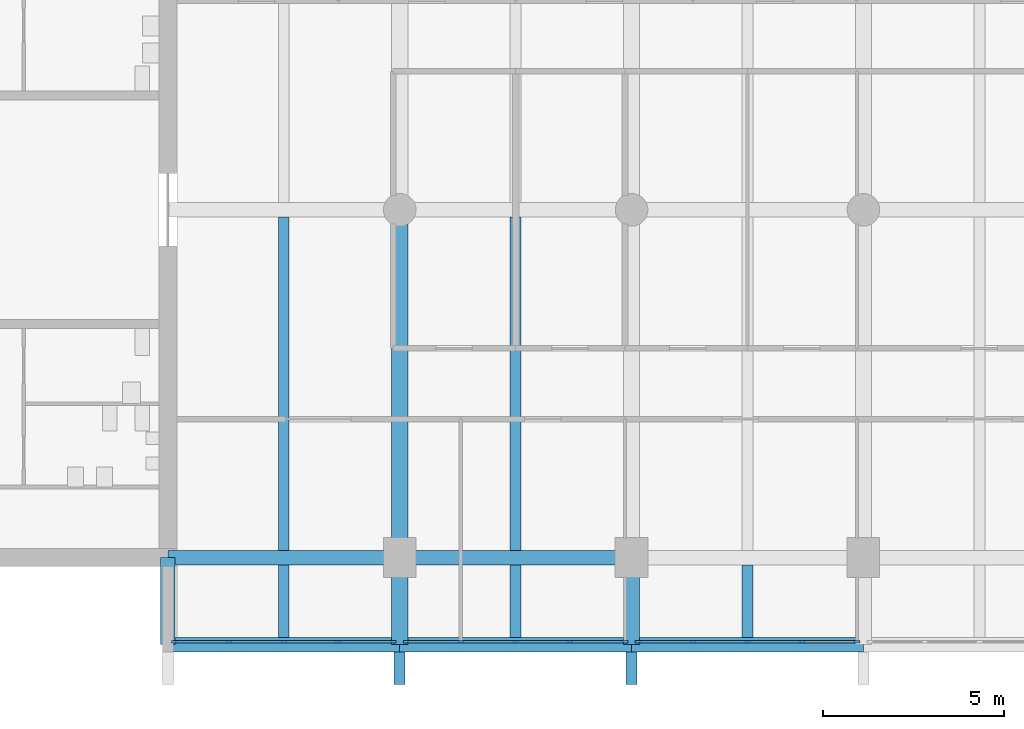
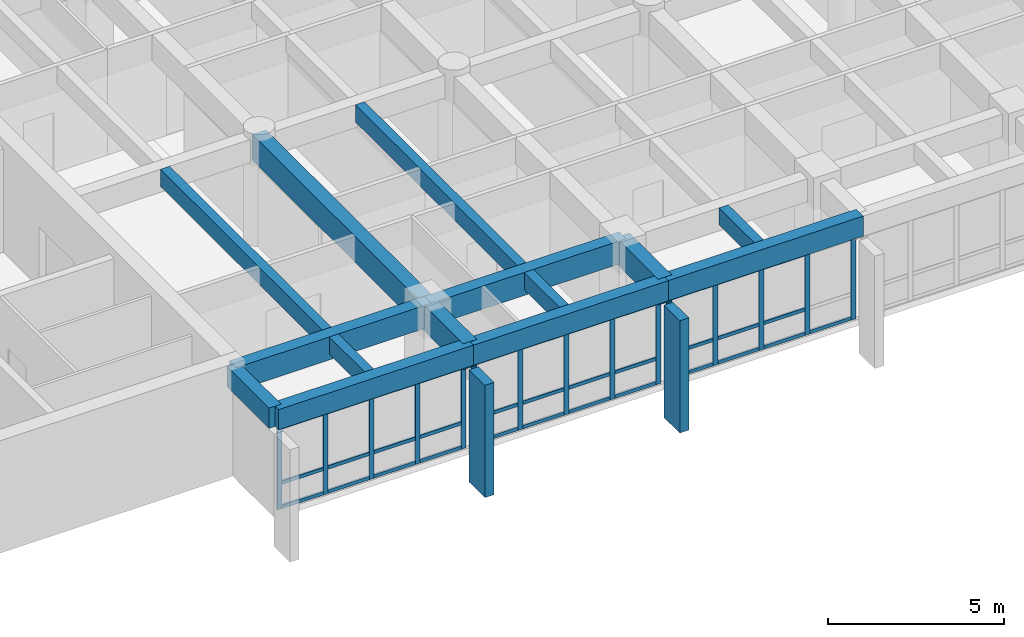
# One storey, part 2 of 15: 51 members, 14 beams, 3 elements without a shape of their own.
"""IFC4 building model written with IfcOpenShell, lengths in metres."""

from ifc_helpers import new_model, si_unit, direction, frame, origin, origin_2d, place, context, subcontext, project, spatial, rectangle, extrude, material, layer, layer_set, material_profile, profile_set, type_object, element, aggregate, save


model = new_model("IFC4")

# Units and contexts
model_context = context("Model", 3, precision=1e-05, world=origin(), true_north=direction((0.0, 1.0)))
body_context = subcontext(model_context, "Body", "Model", "MODEL_VIEW")
ifc_project = project(units=[si_unit("LENGTHUNIT", "METRE"), si_unit("AREAUNIT", "SQUARE_METRE"), si_unit("VOLUMEUNIT", "CUBIC_METRE"), si_unit("PLANEANGLEUNIT", "RADIAN"), si_unit("MASSUNIT", "GRAM", prefix="KILO")], contexts=[model_context])

# Site, building, storey
site_placement = place(None, origin())
site = spatial("IfcSite", under=ifc_project, at=site_placement, CompositionType="ELEMENT")
building_placement = place(site_placement, origin())
building = spatial("IfcBuilding", under=site, at=building_placement, Name="Fogon Plaza Fire Station and Headquarters Tower", CompositionType="ELEMENT")
storey_placement = place(building_placement, frame((0.0, 0.0, 48.300048828125)))
storey = spatial("IfcBuildingStorey", under=building, at=storey_placement, Name="L12", CompositionType="ELEMENT", Elevation=48.300048828125)

# Beams
ifc_material_1 = material(Name="Concrete C40", Category="concrete")
ifc_material_profile_1 = material_profile(ifc_material_1, rectangle(XDim=0.39990234375, YDim=0.699951171875, at=origin_2d()), Name="RC 400x700")
ifc_profile_set_1 = profile_set([ifc_material_profile_1], Name="Concrete C40")
beam_type_1 = type_object("IfcBeamType", Name="BEAM RC 400x700", PredefinedType="BEAM", material=ifc_profile_set_1)
for number, where, z_axis, x_axis, name in (
    (1, (25.60009765625, 31.199951171875, 3.329833984375), (1.0, 0.0, 0.0), (0.0, 1.0, 0.0), "beam-L12-039"),
    (2, (32.0, 31.199951171875, 3.329833984375), (1.0, 0.0, 0.0), (0.0, 1.0, 0.0), "beam-L12-040"),
):
    element("IfcBeam", number, at=place(storey_placement, frame(where, z_axis=z_axis, x_axis=x_axis)), inside=storey, type_object=beam_type_1, Name=name, PredefinedType="BEAM", context=body_context, shape_type="SweptSolid", body=[
        extrude(rectangle(XDim=0.39990234375, YDim=0.699951171875, at=origin_2d()), origin(), (0.0, 0.0, 1.0), 6.39990234375),
    ])
beam_1_placement = place(storey_placement, frame((38.39990234375, 31.199951171875, 3.329833984375), z_axis=(1.0, 0.0, 0.0), x_axis=(0.0, 1.0, 0.0)))
element("IfcBeam", 3, at=beam_1_placement, inside=storey, type_object=beam_type_1, Name="beam-L12-041", PredefinedType="BEAM", context=body_context, shape_type="SweptSolid", body=[
    extrude(rectangle(XDim=0.39990234375, YDim=0.699951171875, at=origin_2d()), origin(), (0.0, 0.0, 1.0), 6.400146484375),
])
ifc_material_2 = material(Name="Concrete C40", Category="concrete")
ifc_material_profile_2 = material_profile(ifc_material_2, rectangle(XDim=0.39990234375, YDim=0.699951171875, at=origin_2d()), Name="RC 400x700")
ifc_profile_set_2 = profile_set([ifc_material_profile_2], Name="Concrete C40")
beam_type_2 = type_object("IfcBeamType", Name="BEAM RC 400x700 SPAN 0.0 TO 3.0 M", PredefinedType="BEAM", material=ifc_profile_set_2)
beam_2_placement = place(storey_placement, frame((25.60009765625, 31.199951171875, 3.329833984375), z_axis=(0.0, 1.0, 0.0), x_axis=(-1.0, 0.0, 0.0)))
element("IfcBeam", 4, at=beam_2_placement, inside=storey, type_object=beam_type_2, Name="beam-L12-051", PredefinedType="BEAM", context=body_context, shape_type="SweptSolid", body=[
    extrude(rectangle(XDim=0.39990234375, YDim=0.699951171875, at=origin_2d()), origin(), (0.0, 0.0, 1.0), 2.400146484375),
])
ifc_material_3 = material(Name="Concrete C40", Category="concrete")
ifc_material_profile_3 = material_profile(ifc_material_3, rectangle(XDim=0.39990234375, YDim=0.800048828125, at=origin_2d()), Name="RC 400x800")
ifc_profile_set_3 = profile_set([ifc_material_profile_3], Name="Concrete C40")
beam_type_3 = type_object("IfcBeamType", Name="BEAM RC 400x800", PredefinedType="BEAM", material=ifc_profile_set_3)
for number, where, z_axis, x_axis, name in (
    (5, (25.60009765625, 33.60009765625, 3.280029296875), (1.0, 0.0, 0.0), (0.0, 1.0, 0.0), "beam-L12-021"),
    (6, (32.0, 33.60009765625, 3.280029296875), (1.0, 0.0, 0.0), (0.0, 1.0, 0.0), "beam-L12-022"),
):
    element("IfcBeam", number, at=place(storey_placement, frame(where, z_axis=z_axis, x_axis=x_axis)), inside=storey, type_object=beam_type_3, Name=name, PredefinedType="BEAM", context=body_context, shape_type="SweptSolid", body=[
        extrude(rectangle(XDim=0.39990234375, YDim=0.800048828125, at=origin_2d()), origin(), (0.0, 0.0, 1.0), 6.39990234375),
    ])
ifc_material_4 = material(Name="Concrete C40", Category="concrete")
ifc_material_profile_4 = material_profile(ifc_material_4, rectangle(XDim=0.449951171875, YDim=0.89990234375, at=origin_2d()), Name="RC 450x900")
ifc_profile_set_4 = profile_set([ifc_material_profile_4], Name="Concrete C40")
beam_type_4 = type_object("IfcBeamType", Name="BEAM RC 450x900", PredefinedType="BEAM", material=ifc_profile_set_4)
beam_3_placement = place(storey_placement, frame((32.0, 33.60009765625, 3.22998046875), z_axis=(0.0, 1.0, 0.0), x_axis=(-1.0, 0.0, 0.0)))
element("IfcBeam", 7, at=beam_3_placement, inside=storey, type_object=beam_type_4, Name="beam-L12-002", PredefinedType="BEAM", context=body_context, shape_type="SweptSolid", body=[
    extrude(rectangle(XDim=0.449951171875, YDim=0.89990234375, at=origin_2d()), origin(), (0.0, 0.0, 1.0), 9.599853515625),
])
ifc_material_5 = material(Name="Concrete C40", Category="concrete")
ifc_material_profile_5 = material_profile(ifc_material_5, rectangle(XDim=0.449951171875, YDim=0.89990234375, at=origin_2d()), Name="RC 450x900")
ifc_profile_set_5 = profile_set([ifc_material_profile_5], Name="Concrete C40")
beam_type_5 = type_object("IfcBeamType", Name="BEAM RC 450x900 SPAN 0.0 TO 3.0 M", PredefinedType="BEAM", material=ifc_profile_set_5)
for number, where, z_axis, x_axis, name in (
    (8, (32.0, 31.199951171875, 3.22998046875), (0.0, 1.0, 0.0), (-1.0, 0.0, 0.0), "beam-L12-001"),
    (9, (38.39990234375, 31.199951171875, 3.22998046875), (0.0, 1.0, 0.0), (-1.0, 0.0, 0.0), "beam-L12-005"),
):
    element("IfcBeam", number, at=place(storey_placement, frame(where, z_axis=z_axis, x_axis=x_axis)), inside=storey, type_object=beam_type_5, Name=name, PredefinedType="BEAM", context=body_context, shape_type="SweptSolid", body=[
        extrude(rectangle(XDim=0.449951171875, YDim=0.89990234375, at=origin_2d()), origin(), (0.0, 0.0, 1.0), 2.400146484375),
    ])

# Curtain wall, members
ifc_material_6 = material(Name="Aluminium and glass", Category="aluminium")
ifc_layer = layer(ifc_material_6, 0.14990234375)
ifc_layer_set = layer_set([ifc_layer], Name="Aluminium and glass")
curtain_wall_type = type_object("IfcCurtainWallType", Name="Unitised Curtain Wall Run 6100x2880", PredefinedType="NOTDEFINED", material=ifc_layer_set)
curtain_wall_1_placement = place(storey_placement, origin())
curtain_wall_1 = element("IfcCurtainWall", 10, at=curtain_wall_1_placement, inside=storey, type_object=curtain_wall_type, Name="CW-6100x2880 S1 L12", PredefinedType="NOTDEFINED")
ifc_material_7 = material(Name="Aluminium", Category="aluminium")
ifc_material_profile_6 = material_profile(ifc_material_7, rectangle(XDim=0.06005859375, YDim=0.159912109375, at=origin_2d()), Name="Curtain Wall Mullion 60x160")
ifc_profile_set_6 = profile_set([ifc_material_profile_6], Name="Aluminium")
member_type_1 = type_object("IfcMemberType", Name="Curtain Wall Mullion 60x160", PredefinedType="MULLION", material=ifc_profile_set_6)
member_1_placement = place(storey_placement, frame((25.780029296875, 31.280029296875, 0.0), z_axis=(0.0, 0.0, 1.0), x_axis=(0.0, 1.0, 0.0)))
member_1 = element("IfcMember", 11, at=member_1_placement, type_object=member_type_1, Name="CW-6100x2880 mullion 1", PredefinedType="MULLION", context=body_context, shape_type="SweptSolid", body=[
    extrude(rectangle(XDim=0.06005859375, YDim=0.159912109375, at=origin_2d()), origin(), (0.0, 0.0, 1.0), 2.8798828125),
])
member_2_placement = place(storey_placement, frame((27.2900390625, 31.280029296875, 0.0), z_axis=(0.0, 0.0, 1.0), x_axis=(0.0, 1.0, 0.0)))
member_2 = element("IfcMember", 12, at=member_2_placement, type_object=member_type_1, Name="CW-6100x2880 mullion 2", PredefinedType="MULLION", context=body_context, shape_type="SweptSolid", body=[
    extrude(rectangle(XDim=0.06005859375, YDim=0.159912109375, at=origin_2d()), origin(), (0.0, 0.0, 1.0), 2.8798828125),
])
member_3_placement = place(storey_placement, frame((28.800048828125, 31.280029296875, 0.0), z_axis=(0.0, 0.0, 1.0), x_axis=(0.0, 1.0, 0.0)))
member_3 = element("IfcMember", 13, at=member_3_placement, type_object=member_type_1, Name="CW-6100x2880 mullion 3", PredefinedType="MULLION", context=body_context, shape_type="SweptSolid", body=[
    extrude(rectangle(XDim=0.06005859375, YDim=0.159912109375, at=origin_2d()), origin(), (0.0, 0.0, 1.0), 2.8798828125),
])
member_4_placement = place(storey_placement, frame((30.31005859375, 31.280029296875, 0.0), z_axis=(0.0, 0.0, 1.0), x_axis=(0.0, 1.0, 0.0)))
member_4 = element("IfcMember", 14, at=member_4_placement, type_object=member_type_1, Name="CW-6100x2880 mullion 4", PredefinedType="MULLION", context=body_context, shape_type="SweptSolid", body=[
    extrude(rectangle(XDim=0.06005859375, YDim=0.159912109375, at=origin_2d()), origin(), (0.0, 0.0, 1.0), 2.8798828125),
])
member_5_placement = place(storey_placement, frame((31.820068359375, 31.280029296875, 0.0), z_axis=(0.0, 0.0, 1.0), x_axis=(0.0, 1.0, 0.0)))
member_5 = element("IfcMember", 15, at=member_5_placement, type_object=member_type_1, Name="CW-6100x2880 mullion 5", PredefinedType="MULLION", context=body_context, shape_type="SweptSolid", body=[
    extrude(rectangle(XDim=0.06005859375, YDim=0.159912109375, at=origin_2d()), origin(), (0.0, 0.0, 1.0), 2.8798828125),
])

curtain_wall_2_placement = place(storey_placement, origin())
curtain_wall_2 = element("IfcCurtainWall", 16, at=curtain_wall_2_placement, inside=storey, type_object=curtain_wall_type, Name="CW-6100x2880 S2 L12", PredefinedType="NOTDEFINED")
member_6_placement = place(storey_placement, frame((32.179931640625, 31.280029296875, 0.0), z_axis=(0.0, 0.0, 1.0), x_axis=(0.0, 1.0, 0.0)))
member_6 = element("IfcMember", 17, at=member_6_placement, type_object=member_type_1, Name="CW-6100x2880 mullion 1", PredefinedType="MULLION", context=body_context, shape_type="SweptSolid", body=[
    extrude(rectangle(XDim=0.06005859375, YDim=0.159912109375, at=origin_2d()), origin(), (0.0, 0.0, 1.0), 2.8798828125),
])
member_7_placement = place(storey_placement, frame((33.68994140625, 31.280029296875, 0.0), z_axis=(0.0, 0.0, 1.0), x_axis=(0.0, 1.0, 0.0)))
member_7 = element("IfcMember", 18, at=member_7_placement, type_object=member_type_1, Name="CW-6100x2880 mullion 2", PredefinedType="MULLION", context=body_context, shape_type="SweptSolid", body=[
    extrude(rectangle(XDim=0.06005859375, YDim=0.159912109375, at=origin_2d()), origin(), (0.0, 0.0, 1.0), 2.8798828125),
])
member_8_placement = place(storey_placement, frame((35.199951171875, 31.280029296875, 0.0), z_axis=(0.0, 0.0, 1.0), x_axis=(0.0, 1.0, 0.0)))
member_8 = element("IfcMember", 19, at=member_8_placement, type_object=member_type_1, Name="CW-6100x2880 mullion 3", PredefinedType="MULLION", context=body_context, shape_type="SweptSolid", body=[
    extrude(rectangle(XDim=0.06005859375, YDim=0.159912109375, at=origin_2d()), origin(), (0.0, 0.0, 1.0), 2.8798828125),
])
member_9_placement = place(storey_placement, frame((36.7099609375, 31.280029296875, 0.0), z_axis=(0.0, 0.0, 1.0), x_axis=(0.0, 1.0, 0.0)))
member_9 = element("IfcMember", 20, at=member_9_placement, type_object=member_type_1, Name="CW-6100x2880 mullion 4", PredefinedType="MULLION", context=body_context, shape_type="SweptSolid", body=[
    extrude(rectangle(XDim=0.06005859375, YDim=0.159912109375, at=origin_2d()), origin(), (0.0, 0.0, 1.0), 2.8798828125),
])
member_10_placement = place(storey_placement, frame((38.219970703125, 31.280029296875, 0.0), z_axis=(0.0, 0.0, 1.0), x_axis=(0.0, 1.0, 0.0)))
member_10 = element("IfcMember", 21, at=member_10_placement, type_object=member_type_1, Name="CW-6100x2880 mullion 5", PredefinedType="MULLION", context=body_context, shape_type="SweptSolid", body=[
    extrude(rectangle(XDim=0.06005859375, YDim=0.159912109375, at=origin_2d()), origin(), (0.0, 0.0, 1.0), 2.8798828125),
])

curtain_wall_3_placement = place(storey_placement, origin())
curtain_wall_3 = element("IfcCurtainWall", 22, at=curtain_wall_3_placement, inside=storey, type_object=curtain_wall_type, Name="CW-6100x2880 S3 L12", PredefinedType="NOTDEFINED")
member_11_placement = place(storey_placement, frame((38.580078125, 31.280029296875, 0.0), z_axis=(0.0, 0.0, 1.0), x_axis=(0.0, 1.0, 0.0)))
member_11 = element("IfcMember", 23, at=member_11_placement, type_object=member_type_1, Name="CW-6100x2880 mullion 1", PredefinedType="MULLION", context=body_context, shape_type="SweptSolid", body=[
    extrude(rectangle(XDim=0.06005859375, YDim=0.159912109375, at=origin_2d()), origin(), (0.0, 0.0, 1.0), 2.8798828125),
])
member_12_placement = place(storey_placement, frame((40.090087890625, 31.280029296875, 0.0), z_axis=(0.0, 0.0, 1.0), x_axis=(0.0, 1.0, 0.0)))
member_12 = element("IfcMember", 24, at=member_12_placement, type_object=member_type_1, Name="CW-6100x2880 mullion 2", PredefinedType="MULLION", context=body_context, shape_type="SweptSolid", body=[
    extrude(rectangle(XDim=0.06005859375, YDim=0.159912109375, at=origin_2d()), origin(), (0.0, 0.0, 1.0), 2.8798828125),
])
member_13_placement = place(storey_placement, frame((41.60009765625, 31.280029296875, 0.0), z_axis=(0.0, 0.0, 1.0), x_axis=(0.0, 1.0, 0.0)))
member_13 = element("IfcMember", 25, at=member_13_placement, type_object=member_type_1, Name="CW-6100x2880 mullion 3", PredefinedType="MULLION", context=body_context, shape_type="SweptSolid", body=[
    extrude(rectangle(XDim=0.06005859375, YDim=0.159912109375, at=origin_2d()), origin(), (0.0, 0.0, 1.0), 2.8798828125),
])
member_14_placement = place(storey_placement, frame((43.110107421875, 31.280029296875, 0.0), z_axis=(0.0, 0.0, 1.0), x_axis=(0.0, 1.0, 0.0)))
member_14 = element("IfcMember", 26, at=member_14_placement, type_object=member_type_1, Name="CW-6100x2880 mullion 4", PredefinedType="MULLION", context=body_context, shape_type="SweptSolid", body=[
    extrude(rectangle(XDim=0.06005859375, YDim=0.159912109375, at=origin_2d()), origin(), (0.0, 0.0, 1.0), 2.8798828125),
])
member_15_placement = place(storey_placement, frame((44.6201171875, 31.280029296875, 0.0), z_axis=(0.0, 0.0, 1.0), x_axis=(0.0, 1.0, 0.0)))
member_15 = element("IfcMember", 27, at=member_15_placement, type_object=member_type_1, Name="CW-6100x2880 mullion 5", PredefinedType="MULLION", context=body_context, shape_type="SweptSolid", body=[
    extrude(rectangle(XDim=0.06005859375, YDim=0.159912109375, at=origin_2d()), origin(), (0.0, 0.0, 1.0), 2.8798828125),
])

# Member
ifc_material_8 = material(Name="Aluminium", Category="aluminium")
ifc_material_profile_7 = material_profile(ifc_material_8, rectangle(XDim=0.06005859375, YDim=0.1201171875, at=origin_2d()), Name="Curtain Wall Transom 60x120")
ifc_profile_set_7 = profile_set([ifc_material_profile_7], Name="Aluminium")
member_type_2 = type_object("IfcMemberType", Name="Curtain Wall Transom 60x120", PredefinedType="USERDEFINED", material=ifc_profile_set_7)
member_16_placement = place(storey_placement, frame((25.81005859375, 31.280029296875, 0.06005859375), z_axis=(1.0, 0.0, 0.0), x_axis=(0.0, 1.0, 0.0)))
member_16 = element("IfcMember", 28, at=member_16_placement, type_object=member_type_2, Name="CW-6100x2880 transom 1.1", ObjectType="TRANSOM", PredefinedType="USERDEFINED", context=body_context, shape_type="SweptSolid", body=[
    extrude(rectangle(XDim=0.06005859375, YDim=0.1201171875, at=origin_2d()), origin(), (0.0, 0.0, 1.0), 1.449951171875),
])

member_17_placement = place(storey_placement, frame((25.81005859375, 31.280029296875, 0.89990234375), z_axis=(1.0, 0.0, 0.0), x_axis=(0.0, 1.0, 0.0)))
member_17 = element("IfcMember", 29, at=member_17_placement, type_object=member_type_2, Name="CW-6100x2880 transom 1.2", ObjectType="TRANSOM", PredefinedType="USERDEFINED", context=body_context, shape_type="SweptSolid", body=[
    extrude(rectangle(XDim=0.06005859375, YDim=0.1201171875, at=origin_2d()), origin(), (0.0, 0.0, 1.0), 1.449951171875),
])

member_18_placement = place(storey_placement, frame((25.81005859375, 31.280029296875, 2.820068359375), z_axis=(1.0, 0.0, 0.0), x_axis=(0.0, 1.0, 0.0)))
member_18 = element("IfcMember", 30, at=member_18_placement, type_object=member_type_2, Name="CW-6100x2880 transom 1.3", ObjectType="TRANSOM", PredefinedType="USERDEFINED", context=body_context, shape_type="SweptSolid", body=[
    extrude(rectangle(XDim=0.06005859375, YDim=0.1201171875, at=origin_2d()), origin(), (0.0, 0.0, 1.0), 1.449951171875),
])

member_19_placement = place(storey_placement, frame((27.320068359375, 31.280029296875, 0.06005859375), z_axis=(1.0, 0.0, 0.0), x_axis=(0.0, 1.0, 0.0)))
member_19 = element("IfcMember", 31, at=member_19_placement, type_object=member_type_2, Name="CW-6100x2880 transom 2.1", ObjectType="TRANSOM", PredefinedType="USERDEFINED", context=body_context, shape_type="SweptSolid", body=[
    extrude(rectangle(XDim=0.06005859375, YDim=0.1201171875, at=origin_2d()), origin(), (0.0, 0.0, 1.0), 1.449951171875),
])

member_20_placement = place(storey_placement, frame((27.320068359375, 31.280029296875, 0.89990234375), z_axis=(1.0, 0.0, 0.0), x_axis=(0.0, 1.0, 0.0)))
member_20 = element("IfcMember", 32, at=member_20_placement, type_object=member_type_2, Name="CW-6100x2880 transom 2.2", ObjectType="TRANSOM", PredefinedType="USERDEFINED", context=body_context, shape_type="SweptSolid", body=[
    extrude(rectangle(XDim=0.06005859375, YDim=0.1201171875, at=origin_2d()), origin(), (0.0, 0.0, 1.0), 1.449951171875),
])

member_21_placement = place(storey_placement, frame((27.320068359375, 31.280029296875, 2.820068359375), z_axis=(1.0, 0.0, 0.0), x_axis=(0.0, 1.0, 0.0)))
member_21 = element("IfcMember", 33, at=member_21_placement, type_object=member_type_2, Name="CW-6100x2880 transom 2.3", ObjectType="TRANSOM", PredefinedType="USERDEFINED", context=body_context, shape_type="SweptSolid", body=[
    extrude(rectangle(XDim=0.06005859375, YDim=0.1201171875, at=origin_2d()), origin(), (0.0, 0.0, 1.0), 1.449951171875),
])

member_22_placement = place(storey_placement, frame((28.830078125, 31.280029296875, 0.06005859375), z_axis=(1.0, 0.0, 0.0), x_axis=(0.0, 1.0, 0.0)))
member_22 = element("IfcMember", 34, at=member_22_placement, type_object=member_type_2, Name="CW-6100x2880 transom 3.1", ObjectType="TRANSOM", PredefinedType="USERDEFINED", context=body_context, shape_type="SweptSolid", body=[
    extrude(rectangle(XDim=0.06005859375, YDim=0.1201171875, at=origin_2d()), origin(), (0.0, 0.0, 1.0), 1.449951171875),
])

member_23_placement = place(storey_placement, frame((28.830078125, 31.280029296875, 0.89990234375), z_axis=(1.0, 0.0, 0.0), x_axis=(0.0, 1.0, 0.0)))
member_23 = element("IfcMember", 35, at=member_23_placement, type_object=member_type_2, Name="CW-6100x2880 transom 3.2", ObjectType="TRANSOM", PredefinedType="USERDEFINED", context=body_context, shape_type="SweptSolid", body=[
    extrude(rectangle(XDim=0.06005859375, YDim=0.1201171875, at=origin_2d()), origin(), (0.0, 0.0, 1.0), 1.449951171875),
])

member_24_placement = place(storey_placement, frame((28.830078125, 31.280029296875, 2.820068359375), z_axis=(1.0, 0.0, 0.0), x_axis=(0.0, 1.0, 0.0)))
member_24 = element("IfcMember", 36, at=member_24_placement, type_object=member_type_2, Name="CW-6100x2880 transom 3.3", ObjectType="TRANSOM", PredefinedType="USERDEFINED", context=body_context, shape_type="SweptSolid", body=[
    extrude(rectangle(XDim=0.06005859375, YDim=0.1201171875, at=origin_2d()), origin(), (0.0, 0.0, 1.0), 1.449951171875),
])

member_25_placement = place(storey_placement, frame((30.340087890625, 31.280029296875, 0.06005859375), z_axis=(1.0, 0.0, 0.0), x_axis=(0.0, 1.0, 0.0)))
member_25 = element("IfcMember", 37, at=member_25_placement, type_object=member_type_2, Name="CW-6100x2880 transom 4.1", ObjectType="TRANSOM", PredefinedType="USERDEFINED", context=body_context, shape_type="SweptSolid", body=[
    extrude(rectangle(XDim=0.06005859375, YDim=0.1201171875, at=origin_2d()), origin(), (0.0, 0.0, 1.0), 1.449951171875),
])

member_26_placement = place(storey_placement, frame((30.340087890625, 31.280029296875, 0.89990234375), z_axis=(1.0, 0.0, 0.0), x_axis=(0.0, 1.0, 0.0)))
member_26 = element("IfcMember", 38, at=member_26_placement, type_object=member_type_2, Name="CW-6100x2880 transom 4.2", ObjectType="TRANSOM", PredefinedType="USERDEFINED", context=body_context, shape_type="SweptSolid", body=[
    extrude(rectangle(XDim=0.06005859375, YDim=0.1201171875, at=origin_2d()), origin(), (0.0, 0.0, 1.0), 1.449951171875),
])

member_27_placement = place(storey_placement, frame((30.340087890625, 31.280029296875, 2.820068359375), z_axis=(1.0, 0.0, 0.0), x_axis=(0.0, 1.0, 0.0)))
member_27 = element("IfcMember", 39, at=member_27_placement, type_object=member_type_2, Name="CW-6100x2880 transom 4.3", ObjectType="TRANSOM", PredefinedType="USERDEFINED", context=body_context, shape_type="SweptSolid", body=[
    extrude(rectangle(XDim=0.06005859375, YDim=0.1201171875, at=origin_2d()), origin(), (0.0, 0.0, 1.0), 1.449951171875),
])

aggregate(curtain_wall_1, [member_1, member_2, member_3, member_4, member_5, member_16, member_17, member_18, member_19, member_20, member_21, member_22, member_23, member_24, member_25, member_26, member_27])

member_28_placement = place(storey_placement, frame((32.2099609375, 31.280029296875, 0.06005859375), z_axis=(1.0, 0.0, 0.0), x_axis=(0.0, 1.0, 0.0)))
member_28 = element("IfcMember", 40, at=member_28_placement, type_object=member_type_2, Name="CW-6100x2880 transom 1.1", ObjectType="TRANSOM", PredefinedType="USERDEFINED", context=body_context, shape_type="SweptSolid", body=[
    extrude(rectangle(XDim=0.06005859375, YDim=0.1201171875, at=origin_2d()), origin(), (0.0, 0.0, 1.0), 1.449951171875),
])

member_29_placement = place(storey_placement, frame((32.2099609375, 31.280029296875, 0.89990234375), z_axis=(1.0, 0.0, 0.0), x_axis=(0.0, 1.0, 0.0)))
member_29 = element("IfcMember", 41, at=member_29_placement, type_object=member_type_2, Name="CW-6100x2880 transom 1.2", ObjectType="TRANSOM", PredefinedType="USERDEFINED", context=body_context, shape_type="SweptSolid", body=[
    extrude(rectangle(XDim=0.06005859375, YDim=0.1201171875, at=origin_2d()), origin(), (0.0, 0.0, 1.0), 1.449951171875),
])

member_30_placement = place(storey_placement, frame((32.2099609375, 31.280029296875, 2.820068359375), z_axis=(1.0, 0.0, 0.0), x_axis=(0.0, 1.0, 0.0)))
member_30 = element("IfcMember", 42, at=member_30_placement, type_object=member_type_2, Name="CW-6100x2880 transom 1.3", ObjectType="TRANSOM", PredefinedType="USERDEFINED", context=body_context, shape_type="SweptSolid", body=[
    extrude(rectangle(XDim=0.06005859375, YDim=0.1201171875, at=origin_2d()), origin(), (0.0, 0.0, 1.0), 1.449951171875),
])

member_31_placement = place(storey_placement, frame((33.719970703125, 31.280029296875, 0.06005859375), z_axis=(1.0, 0.0, 0.0), x_axis=(0.0, 1.0, 0.0)))
member_31 = element("IfcMember", 43, at=member_31_placement, type_object=member_type_2, Name="CW-6100x2880 transom 2.1", ObjectType="TRANSOM", PredefinedType="USERDEFINED", context=body_context, shape_type="SweptSolid", body=[
    extrude(rectangle(XDim=0.06005859375, YDim=0.1201171875, at=origin_2d()), origin(), (0.0, 0.0, 1.0), 1.449951171875),
])

member_32_placement = place(storey_placement, frame((33.719970703125, 31.280029296875, 0.89990234375), z_axis=(1.0, 0.0, 0.0), x_axis=(0.0, 1.0, 0.0)))
member_32 = element("IfcMember", 44, at=member_32_placement, type_object=member_type_2, Name="CW-6100x2880 transom 2.2", ObjectType="TRANSOM", PredefinedType="USERDEFINED", context=body_context, shape_type="SweptSolid", body=[
    extrude(rectangle(XDim=0.06005859375, YDim=0.1201171875, at=origin_2d()), origin(), (0.0, 0.0, 1.0), 1.449951171875),
])

member_33_placement = place(storey_placement, frame((33.719970703125, 31.280029296875, 2.820068359375), z_axis=(1.0, 0.0, 0.0), x_axis=(0.0, 1.0, 0.0)))
member_33 = element("IfcMember", 45, at=member_33_placement, type_object=member_type_2, Name="CW-6100x2880 transom 2.3", ObjectType="TRANSOM", PredefinedType="USERDEFINED", context=body_context, shape_type="SweptSolid", body=[
    extrude(rectangle(XDim=0.06005859375, YDim=0.1201171875, at=origin_2d()), origin(), (0.0, 0.0, 1.0), 1.449951171875),
])

member_34_placement = place(storey_placement, frame((35.22998046875, 31.280029296875, 0.06005859375), z_axis=(1.0, 0.0, 0.0), x_axis=(0.0, 1.0, 0.0)))
member_34 = element("IfcMember", 46, at=member_34_placement, type_object=member_type_2, Name="CW-6100x2880 transom 3.1", ObjectType="TRANSOM", PredefinedType="USERDEFINED", context=body_context, shape_type="SweptSolid", body=[
    extrude(rectangle(XDim=0.06005859375, YDim=0.1201171875, at=origin_2d()), origin(), (0.0, 0.0, 1.0), 1.449951171875),
])

member_35_placement = place(storey_placement, frame((35.22998046875, 31.280029296875, 0.89990234375), z_axis=(1.0, 0.0, 0.0), x_axis=(0.0, 1.0, 0.0)))
member_35 = element("IfcMember", 47, at=member_35_placement, type_object=member_type_2, Name="CW-6100x2880 transom 3.2", ObjectType="TRANSOM", PredefinedType="USERDEFINED", context=body_context, shape_type="SweptSolid", body=[
    extrude(rectangle(XDim=0.06005859375, YDim=0.1201171875, at=origin_2d()), origin(), (0.0, 0.0, 1.0), 1.449951171875),
])

member_36_placement = place(storey_placement, frame((35.22998046875, 31.280029296875, 2.820068359375), z_axis=(1.0, 0.0, 0.0), x_axis=(0.0, 1.0, 0.0)))
member_36 = element("IfcMember", 48, at=member_36_placement, type_object=member_type_2, Name="CW-6100x2880 transom 3.3", ObjectType="TRANSOM", PredefinedType="USERDEFINED", context=body_context, shape_type="SweptSolid", body=[
    extrude(rectangle(XDim=0.06005859375, YDim=0.1201171875, at=origin_2d()), origin(), (0.0, 0.0, 1.0), 1.449951171875),
])

member_37_placement = place(storey_placement, frame((36.739990234375, 31.280029296875, 0.06005859375), z_axis=(1.0, 0.0, 0.0), x_axis=(0.0, 1.0, 0.0)))
member_37 = element("IfcMember", 49, at=member_37_placement, type_object=member_type_2, Name="CW-6100x2880 transom 4.1", ObjectType="TRANSOM", PredefinedType="USERDEFINED", context=body_context, shape_type="SweptSolid", body=[
    extrude(rectangle(XDim=0.06005859375, YDim=0.1201171875, at=origin_2d()), origin(), (0.0, 0.0, 1.0), 1.449951171875),
])

member_38_placement = place(storey_placement, frame((36.739990234375, 31.280029296875, 0.89990234375), z_axis=(1.0, 0.0, 0.0), x_axis=(0.0, 1.0, 0.0)))
member_38 = element("IfcMember", 50, at=member_38_placement, type_object=member_type_2, Name="CW-6100x2880 transom 4.2", ObjectType="TRANSOM", PredefinedType="USERDEFINED", context=body_context, shape_type="SweptSolid", body=[
    extrude(rectangle(XDim=0.06005859375, YDim=0.1201171875, at=origin_2d()), origin(), (0.0, 0.0, 1.0), 1.449951171875),
])

member_39_placement = place(storey_placement, frame((36.739990234375, 31.280029296875, 2.820068359375), z_axis=(1.0, 0.0, 0.0), x_axis=(0.0, 1.0, 0.0)))
member_39 = element("IfcMember", 51, at=member_39_placement, type_object=member_type_2, Name="CW-6100x2880 transom 4.3", ObjectType="TRANSOM", PredefinedType="USERDEFINED", context=body_context, shape_type="SweptSolid", body=[
    extrude(rectangle(XDim=0.06005859375, YDim=0.1201171875, at=origin_2d()), origin(), (0.0, 0.0, 1.0), 1.449951171875),
])

aggregate(curtain_wall_2, [member_6, member_7, member_8, member_9, member_10, member_28, member_29, member_30, member_31, member_32, member_33, member_34, member_35, member_36, member_37, member_38, member_39])

member_40_placement = place(storey_placement, frame((38.610107421875, 31.280029296875, 0.06005859375), z_axis=(1.0, 0.0, 0.0), x_axis=(0.0, 1.0, 0.0)))
member_40 = element("IfcMember", 52, at=member_40_placement, type_object=member_type_2, Name="CW-6100x2880 transom 1.1", ObjectType="TRANSOM", PredefinedType="USERDEFINED", context=body_context, shape_type="SweptSolid", body=[
    extrude(rectangle(XDim=0.06005859375, YDim=0.1201171875, at=origin_2d()), origin(), (0.0, 0.0, 1.0), 1.449951171875),
])

member_41_placement = place(storey_placement, frame((38.610107421875, 31.280029296875, 0.89990234375), z_axis=(1.0, 0.0, 0.0), x_axis=(0.0, 1.0, 0.0)))
member_41 = element("IfcMember", 53, at=member_41_placement, type_object=member_type_2, Name="CW-6100x2880 transom 1.2", ObjectType="TRANSOM", PredefinedType="USERDEFINED", context=body_context, shape_type="SweptSolid", body=[
    extrude(rectangle(XDim=0.06005859375, YDim=0.1201171875, at=origin_2d()), origin(), (0.0, 0.0, 1.0), 1.449951171875),
])

member_42_placement = place(storey_placement, frame((38.610107421875, 31.280029296875, 2.820068359375), z_axis=(1.0, 0.0, 0.0), x_axis=(0.0, 1.0, 0.0)))
member_42 = element("IfcMember", 54, at=member_42_placement, type_object=member_type_2, Name="CW-6100x2880 transom 1.3", ObjectType="TRANSOM", PredefinedType="USERDEFINED", context=body_context, shape_type="SweptSolid", body=[
    extrude(rectangle(XDim=0.06005859375, YDim=0.1201171875, at=origin_2d()), origin(), (0.0, 0.0, 1.0), 1.449951171875),
])

member_43_placement = place(storey_placement, frame((40.1201171875, 31.280029296875, 0.06005859375), z_axis=(1.0, 0.0, 0.0), x_axis=(0.0, 1.0, 0.0)))
member_43 = element("IfcMember", 55, at=member_43_placement, type_object=member_type_2, Name="CW-6100x2880 transom 2.1", ObjectType="TRANSOM", PredefinedType="USERDEFINED", context=body_context, shape_type="SweptSolid", body=[
    extrude(rectangle(XDim=0.06005859375, YDim=0.1201171875, at=origin_2d()), origin(), (0.0, 0.0, 1.0), 1.449951171875),
])

member_44_placement = place(storey_placement, frame((40.1201171875, 31.280029296875, 0.89990234375), z_axis=(1.0, 0.0, 0.0), x_axis=(0.0, 1.0, 0.0)))
member_44 = element("IfcMember", 56, at=member_44_placement, type_object=member_type_2, Name="CW-6100x2880 transom 2.2", ObjectType="TRANSOM", PredefinedType="USERDEFINED", context=body_context, shape_type="SweptSolid", body=[
    extrude(rectangle(XDim=0.06005859375, YDim=0.1201171875, at=origin_2d()), origin(), (0.0, 0.0, 1.0), 1.449951171875),
])

member_45_placement = place(storey_placement, frame((40.1201171875, 31.280029296875, 2.820068359375), z_axis=(1.0, 0.0, 0.0), x_axis=(0.0, 1.0, 0.0)))
member_45 = element("IfcMember", 57, at=member_45_placement, type_object=member_type_2, Name="CW-6100x2880 transom 2.3", ObjectType="TRANSOM", PredefinedType="USERDEFINED", context=body_context, shape_type="SweptSolid", body=[
    extrude(rectangle(XDim=0.06005859375, YDim=0.1201171875, at=origin_2d()), origin(), (0.0, 0.0, 1.0), 1.449951171875),
])

member_46_placement = place(storey_placement, frame((41.6298828125, 31.280029296875, 0.06005859375), z_axis=(1.0, 0.0, 0.0), x_axis=(0.0, 1.0, 0.0)))
member_46 = element("IfcMember", 58, at=member_46_placement, type_object=member_type_2, Name="CW-6100x2880 transom 3.1", ObjectType="TRANSOM", PredefinedType="USERDEFINED", context=body_context, shape_type="SweptSolid", body=[
    extrude(rectangle(XDim=0.06005859375, YDim=0.1201171875, at=origin_2d()), origin(), (0.0, 0.0, 1.0), 1.4501953125),
])

member_47_placement = place(storey_placement, frame((41.6298828125, 31.280029296875, 0.89990234375), z_axis=(1.0, 0.0, 0.0), x_axis=(0.0, 1.0, 0.0)))
member_47 = element("IfcMember", 59, at=member_47_placement, type_object=member_type_2, Name="CW-6100x2880 transom 3.2", ObjectType="TRANSOM", PredefinedType="USERDEFINED", context=body_context, shape_type="SweptSolid", body=[
    extrude(rectangle(XDim=0.06005859375, YDim=0.1201171875, at=origin_2d()), origin(), (0.0, 0.0, 1.0), 1.4501953125),
])

member_48_placement = place(storey_placement, frame((41.6298828125, 31.280029296875, 2.820068359375), z_axis=(1.0, 0.0, 0.0), x_axis=(0.0, 1.0, 0.0)))
member_48 = element("IfcMember", 60, at=member_48_placement, type_object=member_type_2, Name="CW-6100x2880 transom 3.3", ObjectType="TRANSOM", PredefinedType="USERDEFINED", context=body_context, shape_type="SweptSolid", body=[
    extrude(rectangle(XDim=0.06005859375, YDim=0.1201171875, at=origin_2d()), origin(), (0.0, 0.0, 1.0), 1.4501953125),
])

member_49_placement = place(storey_placement, frame((43.139892578125, 31.280029296875, 0.06005859375), z_axis=(1.0, 0.0, 0.0), x_axis=(0.0, 1.0, 0.0)))
member_49 = element("IfcMember", 61, at=member_49_placement, type_object=member_type_2, Name="CW-6100x2880 transom 4.1", ObjectType="TRANSOM", PredefinedType="USERDEFINED", context=body_context, shape_type="SweptSolid", body=[
    extrude(rectangle(XDim=0.06005859375, YDim=0.1201171875, at=origin_2d()), origin(), (0.0, 0.0, 1.0), 1.4501953125),
])

aggregate(curtain_wall_3, [member_11, member_12, member_13, member_14, member_15, member_40, member_41, member_42, member_43, member_44, member_45, member_46, member_47, member_48, member_49])

# Beams
ifc_material_9 = material(Name="Concrete C40", Category="concrete")
ifc_material_profile_8 = material_profile(ifc_material_9, rectangle(XDim=0.300048828125, YDim=0.60009765625, at=origin_2d()), Name="RC 300x600")
ifc_profile_set_8 = profile_set([ifc_material_profile_8], Name="Concrete C40")
beam_type_6 = type_object("IfcBeamType", Name="JOIST RC 300x600", PredefinedType="JOIST", material=ifc_profile_set_8)
for number, where, z_axis, x_axis, name in (
    (62, (28.800048828125, 33.800048828125, 3.3798828125), (0.0, 1.0, 0.0), (-1.0, 0.0, 0.0), "beam-L12-056"),
    (63, (35.199951171875, 33.800048828125, 3.3798828125), (0.0, 1.0, 0.0), (-1.0, 0.0, 0.0), "beam-L12-060"),
):
    element("IfcBeam", number, at=place(storey_placement, frame(where, z_axis=z_axis, x_axis=x_axis)), inside=storey, type_object=beam_type_6, Name=name, PredefinedType="JOIST", context=body_context, shape_type="SweptSolid", body=[
        extrude(rectangle(XDim=0.300048828125, YDim=0.60009765625, at=origin_2d()), origin(), (0.0, 0.0, 1.0), 9.199951171875),
    ])
ifc_material_10 = material(Name="Concrete C40", Category="concrete")
ifc_material_profile_9 = material_profile(ifc_material_10, rectangle(XDim=0.300048828125, YDim=0.60009765625, at=origin_2d()), Name="RC 300x600")
ifc_profile_set_9 = profile_set([ifc_material_profile_9], Name="Concrete C40")
beam_type_7 = type_object("IfcBeamType", Name="JOIST RC 300x600 SPAN 0.0 TO 3.0 M", PredefinedType="JOIST", material=ifc_profile_set_9)
for number, where, z_axis, x_axis, name in (
    (64, (28.800048828125, 31.39990234375, 3.3798828125), (0.0, 1.0, 0.0), (-1.0, 0.0, 0.0), "beam-L12-055"),
    (65, (35.199951171875, 31.39990234375, 3.3798828125), (0.0, 1.0, 0.0), (-1.0, 0.0, 0.0), "beam-L12-059"),
    (66, (41.60009765625, 31.39990234375, 3.3798828125), (0.0, 1.0, 0.0), (-1.0, 0.0, 0.0), "beam-L12-063"),
):
    element("IfcBeam", number, at=place(storey_placement, frame(where, z_axis=z_axis, x_axis=x_axis)), inside=storey, type_object=beam_type_7, Name=name, PredefinedType="JOIST", context=body_context, shape_type="SweptSolid", body=[
        extrude(rectangle(XDim=0.300048828125, YDim=0.60009765625, at=origin_2d()), origin(), (0.0, 0.0, 1.0), 2.0),
    ])

# Members
ifc_material_11 = material(Name="Concrete C40 precast", Category="concrete")
ifc_material_profile_10 = material_profile(ifc_material_11, rectangle(XDim=0.300048828125, YDim=0.89990234375, at=origin_2d()), Name="Precast Concrete Post 300x900")
ifc_profile_set_10 = profile_set([ifc_material_profile_10], Name="Concrete C40 precast")
member_type_3 = type_object("IfcMemberType", Name="Precast Concrete Post 300x900", PredefinedType="POST", material=ifc_profile_set_10)
for number, where, z_axis, x_axis, name in (
    (67, (32.0, 30.550048828125, -1.02001953125), (0.0, 0.0, 1.0), (1.0, 0.0, 0.0), "Precast Post S L12"),
    (68, (38.39990234375, 30.550048828125, -1.02001953125), (0.0, 0.0, 1.0), (1.0, 0.0, 0.0), "Precast Post S L12"),
):
    element("IfcMember", number, at=place(storey_placement, frame(where, z_axis=z_axis, x_axis=x_axis)), inside=storey, type_object=member_type_3, Name=name, PredefinedType="POST", context=body_context, shape_type="SweptSolid", body=[
        extrude(rectangle(XDim=0.300048828125, YDim=0.89990234375, at=origin_2d()), origin(), (0.0, 0.0, 1.0), 3.89990234375),
    ])

save(model, "model.ifc")
